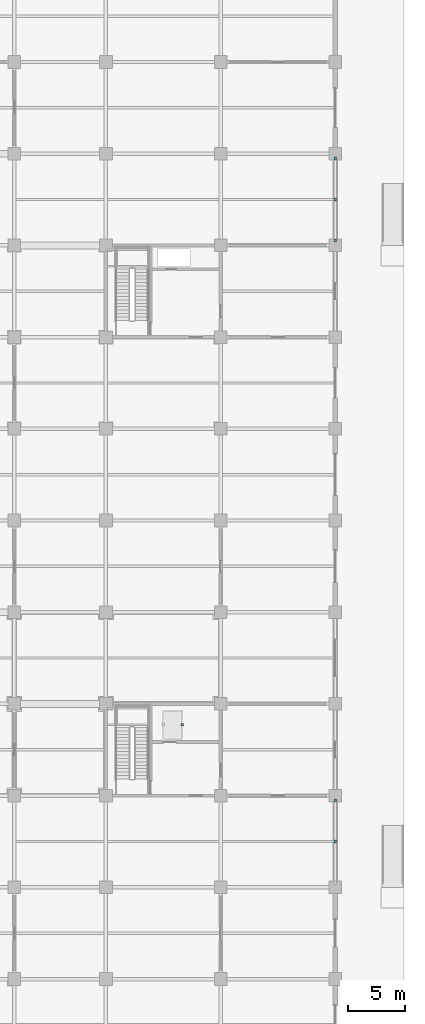
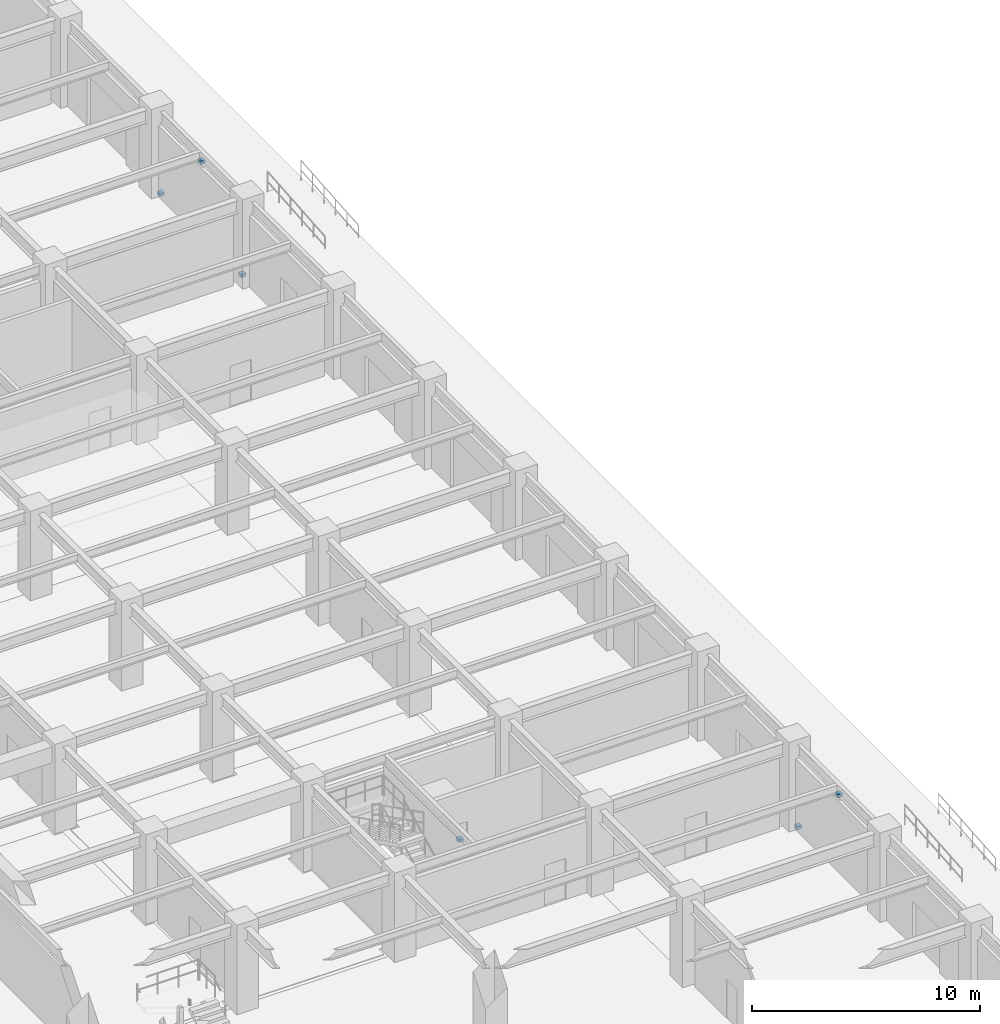
# One storey, part 101 of 125: 6 discrete accessories.
"""IFC4 building model written with IfcOpenShell, lengths in metres."""

from ifc_helpers import new_model, si_unit, direction, frame, origin, origin_2d, place, context, subcontext, project, spatial, rectangle, extrude, material, layer, layer_set, type_object, element, save


model = new_model("IFC4")

# Units and contexts
model_context = context("Model", 3, precision=1e-05, world=origin(), true_north=direction((0.0, 1.0)))
body_context = subcontext(model_context, "Body", "Model", "MODEL_VIEW")
ifc_project = project(units=[si_unit("LENGTHUNIT", "METRE"), si_unit("AREAUNIT", "SQUARE_METRE"), si_unit("VOLUMEUNIT", "CUBIC_METRE"), si_unit("PLANEANGLEUNIT", "RADIAN"), si_unit("MASSUNIT", "GRAM", prefix="KILO")], contexts=[model_context])

# Site, building, storey
site_placement = place(None, origin())
site = spatial("IfcSite", under=ifc_project, at=site_placement, CompositionType="ELEMENT")
building_placement = place(site_placement, origin())
building = spatial("IfcBuilding", under=site, at=building_placement, Name="Haebicheon Civic Stadium", CompositionType="ELEMENT")
storey_placement = place(building_placement, origin())
storey = spatial("IfcBuildingStorey", under=building, at=storey_placement, Name="L01", CompositionType="ELEMENT", Elevation=0.0)

# Discrete accessories
ifc_material_1 = material(Name="White painted steel SM490", Category="steel")
ifc_layer_1 = layer(ifc_material_1, 0.179931640625, Name="White painted steel SM490")
ifc_layer_set_1 = layer_set([ifc_layer_1], Name="White painted steel SM490")
discrete_accessory_type_1 = type_object("IfcDiscreteAccessoryType", Name="BRK-END-PLT", PredefinedType="BRACKET", material=ifc_layer_set_1)
for number, where, z_axis, x_axis, name in (
    (1, (236.0, 63.580078125, -0.0498046875), (0.0, 0.0, 1.0), (1.0, 0.0, 0.0), "Brace L01-28-07 bolted end connection plate"),
    (2, (236.0, 60.0, 3.85009765625), (0.0, 0.0, 1.0), (1.0, 0.0, 0.0), "Brace L01-28-07 bolted end connection plate"),
    (3, (236.0, 112.419921875, -0.0498046875), (0.0, 0.0, 1.0), (1.0, 0.0, 0.0), "Brace L01-28-14 bolted end connection plate"),
    (4, (236.0, 119.580078125, -0.0498046875), (0.0, 0.0, 1.0), (1.0, 0.0, 0.0), "Brace L01-28-14 bolted end connection plate"),
    (5, (236.0, 116.0, 3.85009765625), (0.0, 0.0, 1.0), (1.0, 0.0, 0.0), "Brace L01-28-14 bolted end connection plate"),
):
    element("IfcDiscreteAccessory", number, at=place(storey_placement, frame(where, z_axis=z_axis, x_axis=x_axis)), inside=storey, type_object=discrete_accessory_type_1, material=ifc_layer_set_1, Name=name, PredefinedType="BRACKET", context=body_context, shape_type="SweptSolid", body=[
        extrude(rectangle(XDim=0.239990234375, YDim=0.239990234375, at=origin_2d()), origin(), (0.0, 0.0, 1.0), 0.179931640625),
    ])
ifc_material_2 = material(Name="Stainless steel 316", Category="steel")
ifc_layer_2 = layer(ifc_material_2, 0.139892578125, Name="Stainless steel 316")
ifc_layer_set_2 = layer_set([ifc_layer_2], Name="Stainless steel 316")
discrete_accessory_type_2 = type_object("IfcDiscreteAccessoryType", Name="BRK-LVR-CLEAT", PredefinedType="BRACKET", material=ifc_layer_set_2)
discrete_accessory_placement = place(storey_placement, frame((222.64990234375, 70.179931640625, -0.06005859375), z_axis=(0.0, 0.0, 1.0), x_axis=(1.0, 0.0, 0.0)))
element("IfcDiscreteAccessory", 6, at=discrete_accessory_placement, inside=storey, type_object=discrete_accessory_type_2, material=ifc_layer_set_2, Name="LF-09 shaft guide-rail bracket E", PredefinedType="BRACKET", context=body_context, shape_type="SweptSolid", body=[
    extrude(rectangle(XDim=0.239990234375, YDim=0.239990234375, at=origin_2d()), origin(), (0.0, 0.0, 1.0), 0.159912109375),
])

save(model, "model.ifc")
